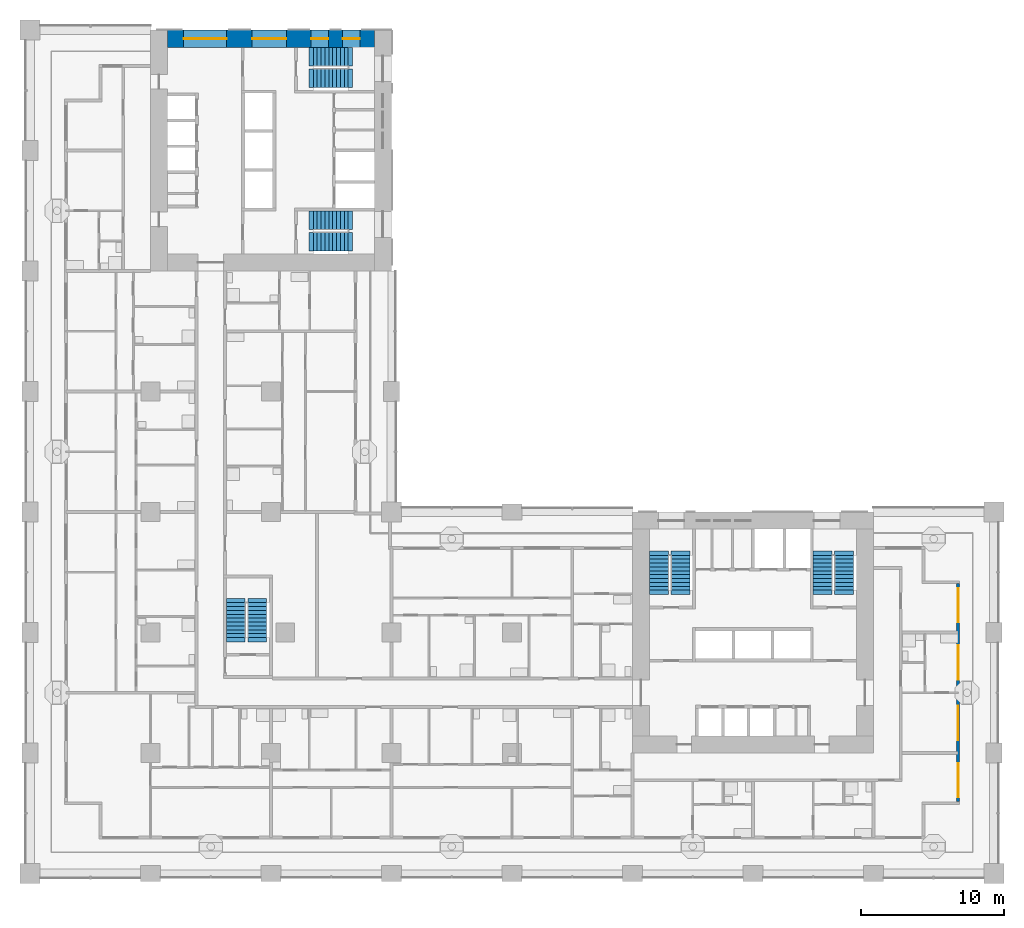
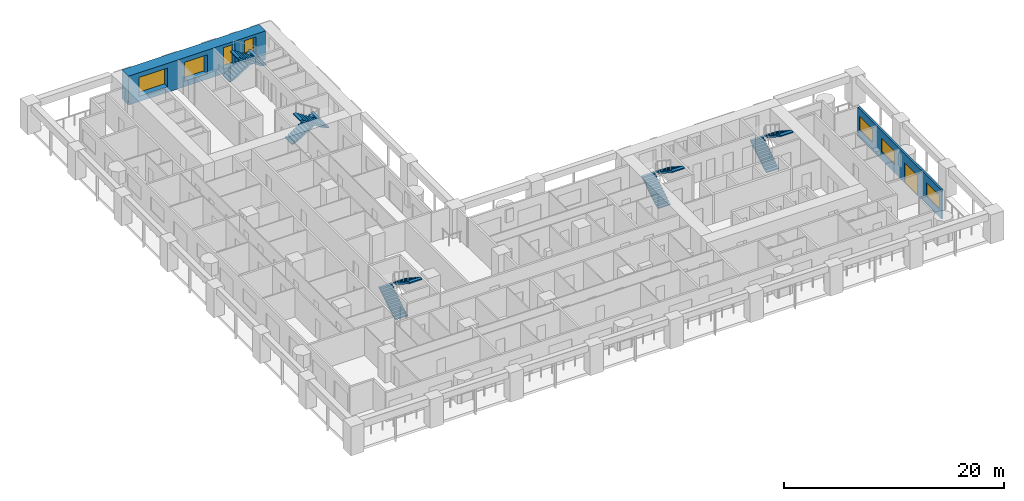
# One storey, part 11 of 22: 10 stair flights, 7 windows, 2 walls, 1 door, 8 openings, 5 elements without a shape of their own.
"""IFC4 building model written with IfcOpenShell, lengths in metres."""

import ifcopenshell
import ifcopenshell.guid

model = None  # the IFC model being written
_history = None  # IfcOwnerHistory: only IFC2X3 demands one
_inside = {}  # id of a spatial element -> (the spatial element, [elements in it])
_under = {}  # id of a project, library or spatial element -> (it, [spatial elements below it])
_declared = {}  # id of a project -> (the project, [libraries it declares])
_typed = {}  # id of a type object -> (the type object, [elements of that type])
_made_of = {}  # id of a material, layer set ... -> (it, [elements and type objects made of it])


def new_model(schema):
    """Start an empty IFC model of exactly this schema.

    Asked for "IFC4X3", IfcOpenShell would pick the latest addendum, in which some entities
    have other attributes; the version numbers below select the first issue.
    IFC2X3 requires an IfcOwnerHistory on every rooted entity: one is made here for all.
    """
    global model, _history
    if schema == "IFC4X3":
        model = ifcopenshell.file(schema_version=(4, 3, 0, 0))
    else:
        model = ifcopenshell.file(schema=schema)
    _inside.clear()
    _under.clear()
    _declared.clear()
    _typed.clear()
    _made_of.clear()
    _history = None
    if model.schema == "IFC2X3":
        org = make("IfcOrganization", Name="unknown")
        user = make(
            "IfcPersonAndOrganization",
            ThePerson=make("IfcPerson", FamilyName="unknown"),
            TheOrganization=org,
        )
        app = make(
            "IfcApplication",
            ApplicationDeveloper=org,
            Version="unknown",
            ApplicationFullName="unknown",
            ApplicationIdentifier="unknown",
        )
        _history = make(
            "IfcOwnerHistory",
            OwningUser=user,
            OwningApplication=app,
            ChangeAction="ADDED",
            CreationDate=0,
        )
    return model


def make(cls, **values):
    """One entity of the class cls with the attributes given. An attribute that is None is left unset."""
    return model.create_entity(
        cls, **{name: value for name, value in values.items() if value is not None}
    )


def rooted(cls, **values):
    """An entity with a GlobalId (a new one), such as an element, a storey or a relation."""
    return make(cls, GlobalId=ifcopenshell.guid.new(), OwnerHistory=_history, **values)


def si_unit(unit_type, name, prefix=None):
    """IfcSIUnit, for example si_unit("LENGTHUNIT", "METRE", prefix="MILLI")."""
    return make("IfcSIUnit", UnitType=unit_type, Prefix=prefix, Name=name)


def assignment(units):
    """IfcUnitAssignment: the units of a project."""
    return None if units is None else make("IfcUnitAssignment", Units=units)


def point(xyz):
    """IfcCartesianPoint."""
    return None if xyz is None else make("IfcCartesianPoint", Coordinates=xyz)


def direction(xyz):
    """IfcDirection."""
    return None if xyz is None else make("IfcDirection", DirectionRatios=xyz)


def frame(location, z_axis=None, x_axis=None):
    """IfcAxis2Placement3D, a coordinate frame: its origin and axes. An axis left out is left unset."""
    return make(
        "IfcAxis2Placement3D",
        Location=point(location),
        Axis=direction(z_axis),
        RefDirection=direction(x_axis),
    )


def frame_2d(location, x_axis=None):
    """IfcAxis2Placement2D, a coordinate frame in the plane: its origin and x axis."""
    return make(
        "IfcAxis2Placement2D", Location=point(location), RefDirection=direction(x_axis)
    )


def origin():
    """The frame at (0, 0, 0) with its axes left unset."""
    return frame((0.0, 0.0, 0.0))


def place(relative_to, where):
    """IfcLocalPlacement: puts the frame where relative to a parent placement (None: the world)."""
    return make(
        "IfcLocalPlacement", PlacementRelTo=relative_to, RelativePlacement=where
    )


def context(
    kind, dimensions, precision=None, world=None, true_north=None, identifier=None
):
    """IfcGeometricRepresentationContext, for example the 3D "Model" context."""
    return make(
        "IfcGeometricRepresentationContext",
        ContextIdentifier=identifier,
        ContextType=kind,
        CoordinateSpaceDimension=dimensions,
        Precision=precision,
        WorldCoordinateSystem=world,
        TrueNorth=true_north,
    )


def subcontext(parent, identifier, kind, view, scale=None):
    """IfcGeometricRepresentationSubContext, for example "Body" below "Model"."""
    return make(
        "IfcGeometricRepresentationSubContext",
        ContextIdentifier=identifier,
        ContextType=kind,
        ParentContext=parent,
        TargetScale=scale,
        TargetView=view,
    )


def project(units=None, contexts=None):
    """IfcProject with its units and contexts."""
    return rooted(
        "IfcProject",
        Name="project",
        RepresentationContexts=contexts,
        UnitsInContext=assignment(units),
    )


def spatial(cls, under=None, at=None, **own):
    """A site, building, storey or space (cls), placed at a placement, below another one or the project."""
    s = rooted(cls, ObjectPlacement=at, **own)
    if under is not None:
        _under.setdefault(under.id(), (under, []))[1].append(s)
    return s


def polyline(points):
    """IfcPolyline through the points."""
    return make("IfcPolyline", Points=[point(p) for p in points])


def profile(cls, at=None, kind="AREA", **sizes):
    """A parametric profile (cls). Its sizes go by their IFC names, for example OverallWidth=200.0."""
    return make(cls, ProfileType=kind, Position=at, **sizes)


def rectangle(**sizes):
    """IfcRectangleProfileDef."""
    return profile("IfcRectangleProfileDef", **sizes)


def outline(outer, holes=None, kind="AREA"):
    """IfcArbitraryClosedProfileDef: a profile drawn as a closed curve; with holes, ...WithVoids."""
    if holes is None:
        return make("IfcArbitraryClosedProfileDef", ProfileType=kind, OuterCurve=outer)
    return make(
        "IfcArbitraryProfileDefWithVoids",
        ProfileType=kind,
        OuterCurve=outer,
        InnerCurves=holes,
    )


def extrude(swept, where, along, depth):
    """IfcExtrudedAreaSolid: the profile swept, set in the frame where, extruded along a direction by depth."""
    return make(
        "IfcExtrudedAreaSolid",
        SweptArea=swept,
        Position=where,
        ExtrudedDirection=direction(along),
        Depth=depth,
    )


def shape(context_of_items, identifier, shape_type, items):
    """IfcShapeRepresentation: the items that make up one representation, for example the "Body"."""
    return make(
        "IfcShapeRepresentation",
        ContextOfItems=context_of_items,
        RepresentationIdentifier=identifier,
        RepresentationType=shape_type,
        Items=items,
    )


def material(Name=None, Category=None):
    """IfcMaterial."""
    return make("IfcMaterial", Name=Name, Category=Category)


def layer(
    of_material, thickness, ventilated=None, Name=None, Category=None, Priority=None
):
    """IfcMaterialLayer: one layer of a wall or slab, of a material (None: an air gap)."""
    return make(
        "IfcMaterialLayer",
        Material=of_material,
        LayerThickness=thickness,
        IsVentilated=ventilated,
        Name=Name,
        Category=Category,
        Priority=Priority,
    )


def layer_set(layers, Name=None):
    """IfcMaterialLayerSet."""
    return make("IfcMaterialLayerSet", MaterialLayers=layers, LayerSetName=Name)


def made_of(thing, what):
    """Note that an element or type object is made of a material, layer set ...; save() writes the relation."""
    if what is not None:
        _made_of.setdefault(what.id(), (what, []))[1].append(thing)
    return thing


def type_object(cls, material=None, **own):
    """A type object (cls), such as IfcWallType, which elements share."""
    return made_of(rooted(cls, **own), material)


def element(
    cls,
    number,
    at=None,
    inside=None,
    cuts=None,
    type_object=None,
    material=None,
    context=None,
    identifier="Body",
    shape_type=None,
    held_by="IfcProductDefinitionShape",
    body=None,
    shapes=None,
    **own,
):
    """One element of the class cls, such as IfcWall. Its Tag is "e" and its number.

    at: its placement. inside: the storey or other place that contains it. cuts: it is an
    opening in that element (IfcRelVoidsElement). A single representation is given by context,
    identifier, shape_type and body (its items); several are given by shapes. held_by: the class
    of the entity that holds the representations. save() writes the other relations.
    """
    e = rooted(cls, Tag="e%d" % number, ObjectPlacement=at, **own)
    if body is not None:
        shapes = [shape(context, identifier, shape_type, body)]
    if shapes is not None:
        e.Representation = make(held_by, Representations=shapes)
    if inside is not None:
        _inside.setdefault(inside.id(), (inside, []))[1].append(e)
    if cuts is not None:
        rooted(
            "IfcRelVoidsElement", RelatingBuildingElement=cuts, RelatedOpeningElement=e
        )
    if type_object is not None:
        _typed.setdefault(type_object.id(), (type_object, []))[1].append(e)
    return made_of(e, material)


def fill(opening, filler):
    """IfcRelFillsElement: the door or window that sits in an opening."""
    return rooted(
        "IfcRelFillsElement",
        RelatingOpeningElement=opening,
        RelatedBuildingElement=filler,
    )


def aggregate(whole, parts):
    """IfcRelAggregates: a whole, such as a stair, and the parts it consists of."""
    return rooted("IfcRelAggregates", RelatingObject=whole, RelatedObjects=parts)


def save(model, path):
    """Write the relations noted so far, then the file.

    IfcRelAggregates (storeys below a building ...), IfcRelContainedInSpatialStructure (elements
    in a storey), IfcRelDefinesByType, IfcRelAssociatesMaterial and IfcRelDeclares: one each for
    every whole, place, type object, material and project.
    """
    for whole, parts in _under.values():
        aggregate(whole, parts)
    for where, things in _inside.values():
        rooted(
            "IfcRelContainedInSpatialStructure",
            RelatedElements=things,
            RelatingStructure=where,
        )
    for kind, things in _typed.values():
        rooted("IfcRelDefinesByType", RelatedObjects=things, RelatingType=kind)
    for what, things in _made_of.values():
        rooted("IfcRelAssociatesMaterial", RelatedObjects=things, RelatingMaterial=what)
    for by, libraries in _declared.values():
        rooted("IfcRelDeclares", RelatingContext=by, RelatedDefinitions=libraries)
    model.write(path)


model = new_model("IFC4")

# Units and contexts
model_context = context("Model", 3, precision=1e-05, world=origin(), true_north=direction((0.0, 1.0)))
body_context = subcontext(model_context, "Body", "Model", "MODEL_VIEW")
ifc_project = project(units=[si_unit("LENGTHUNIT", "METRE"), si_unit("AREAUNIT", "SQUARE_METRE"), si_unit("VOLUMEUNIT", "CUBIC_METRE"), si_unit("PLANEANGLEUNIT", "RADIAN"), si_unit("MASSUNIT", "GRAM", prefix="KILO")], contexts=[model_context])

# Site, building, storey
site_placement = place(None, origin())
site = spatial("IfcSite", under=ifc_project, at=site_placement, CompositionType="ELEMENT")
building_placement = place(site_placement, origin())
building = spatial("IfcBuilding", under=site, at=building_placement, Name="Vermilion Gate Residences", CompositionType="ELEMENT")
storey_placement = place(building_placement, frame((0.0, 0.0, 56.699951171875)))
storey = spatial("IfcBuildingStorey", under=building, at=storey_placement, Name="L13", CompositionType="ELEMENT", Elevation=56.699951171875)

# Wall, openings, door, windows
ifc_material_1 = material(Name="Insulated steel stud wall with terracotta rainscreen", Category="masonry")
ifc_layer_1 = layer(ifc_material_1, 0.199951171875)
ifc_layer_set_1 = layer_set([ifc_layer_1], Name="EXTERNAL WALL 200 TERRACOTTA RAINSCREEN")
wall_type_1 = type_object("IfcWallType", Name="EXTERNAL WALL 200 TERRACOTTA RAINSCREEN", PredefinedType="SOLIDWALL", material=ifc_layer_set_1)
wall_1_placement = place(storey_placement, frame((64.699951171875, 5.0, 0.0), z_axis=(0.0, 0.0, 1.0), x_axis=(0.0, 1.0, 0.0)))
wall_1 = element("IfcWall", 1, at=wall_1_placement, inside=storey, type_object=wall_type_1, Name="External wall", PredefinedType="SOLIDWALL", context=body_context, shape_type="SweptSolid", body=[
    extrude(rectangle(XDim=15.199951171875, YDim=0.199951171875, at=frame_2d((7.60009765625, 0.0))), origin(), (0.0, 0.0, 1.0), 3.219970703125),
])
opening_1_placement = place(wall_1_placement, frame((0.300048828125, 0.0, 0.89990234375)))
opening_1 = element("IfcOpeningElement", 2, at=opening_1_placement, cuts=wall_1, Name="Opening WE13028", PredefinedType="OPENING", context=body_context, shape_type="SweptSolid", body=[
    extrude(rectangle(XDim=2.39990234375, YDim=1.5, at=frame_2d((1.199951171875, 0.75))), frame((0.0, 0.10986328125, 0.0), z_axis=(0.0, -1.0, 0.0), x_axis=(1.0, 0.0, 0.0)), (0.0, 0.0, 1.0), 0.219970703125),
])
opening_2_placement = place(wall_1_placement, frame((4.300048828125, 0.0, 0.0)))
opening_2 = element("IfcOpeningElement", 3, at=opening_2_placement, cuts=wall_1, Name="Opening DE13029", PredefinedType="OPENING", context=body_context, shape_type="SweptSolid", body=[
    extrude(rectangle(XDim=2.39990234375, YDim=2.199951171875, at=frame_2d((1.199951171875, 1.10009765625))), frame((0.0, 0.10986328125, 0.0), z_axis=(0.0, -1.0, 0.0), x_axis=(1.0, 0.0, 0.0)), (0.0, 0.0, 1.0), 0.219970703125),
])
opening_3_placement = place(wall_1_placement, frame((8.5, 0.0, 0.89990234375)))
opening_3 = element("IfcOpeningElement", 4, at=opening_3_placement, cuts=wall_1, Name="Opening WE13030", PredefinedType="OPENING", context=body_context, shape_type="SweptSolid", body=[
    extrude(rectangle(XDim=2.39990234375, YDim=1.5, at=frame_2d((1.199951171875, 0.75))), frame((0.0, 0.10986328125, 0.0), z_axis=(0.0, -1.0, 0.0), x_axis=(1.0, 0.0, 0.0)), (0.0, 0.0, 1.0), 0.219970703125),
])
opening_4_placement = place(wall_1_placement, frame((12.5, 0.0, 0.89990234375)))
opening_4 = element("IfcOpeningElement", 5, at=opening_4_placement, cuts=wall_1, Name="Opening WE13031", PredefinedType="OPENING", context=body_context, shape_type="SweptSolid", body=[
    extrude(rectangle(XDim=2.39990234375, YDim=1.5, at=frame_2d((1.199951171875, 0.75))), frame((0.0, 0.10986328125, 0.0), z_axis=(0.0, -1.0, 0.0), x_axis=(1.0, 0.0, 0.0)), (0.0, 0.0, 1.0), 0.219970703125),
])
ifc_material_2 = material(Name="Aluminium and clear glass", Category="aluminium")
door_type = type_object("IfcDoorType", Name="SLIDING GLAZED DOOR 2400 X 2200", OperationType="DOUBLE_DOOR_SLIDING", PredefinedType="DOOR", material=ifc_material_2)
door_placement = place(opening_2_placement, origin())
door = element("IfcDoor", 6, at=door_placement, inside=storey, type_object=door_type, Name="Loggia sliding door", OperationType="DOUBLE_DOOR_SLIDING", OverallHeight=2.199951171875, OverallWidth=2.39990234375, PredefinedType="DOOR", context=body_context, shape_type="SweptSolid", body=[
    extrude(rectangle(XDim=2.39990234375, YDim=2.199951171875, at=frame_2d((1.199951171875, 1.10009765625))), frame((0.0, 0.02490234375, 0.0), z_axis=(0.0, -1.0, 0.0), x_axis=(1.0, 0.0, 0.0)), (0.0, 0.0, 1.0), 0.050048828125),
])
fill(opening_2, door)
ifc_material_3 = material(Name="Aluminium and clear glass", Category="aluminium")
window_type_1 = type_object("IfcWindowType", Name="WINDOW 2400 X 1500", PartitioningType="SINGLE_PANEL", PredefinedType="WINDOW", material=ifc_material_3)
window_1_placement = place(opening_1_placement, origin())
window_1 = element("IfcWindow", 7, at=window_1_placement, inside=storey, type_object=window_type_1, Name="Window", OverallHeight=1.5, OverallWidth=2.39990234375, PartitioningType="SINGLE_PANEL", PredefinedType="WINDOW", context=body_context, shape_type="SweptSolid", body=[
    extrude(rectangle(XDim=2.39990234375, YDim=1.5, at=frame_2d((1.199951171875, 0.75))), frame((0.0, 0.030029296875, 0.0), z_axis=(0.0, -1.0, 0.0), x_axis=(1.0, 0.0, 0.0)), (0.0, 0.0, 1.0), 0.06005859375),
])
fill(opening_1, window_1)
window_2_placement = place(opening_3_placement, origin())
window_2 = element("IfcWindow", 8, at=window_2_placement, inside=storey, type_object=window_type_1, Name="Window", OverallHeight=1.5, OverallWidth=2.39990234375, PartitioningType="SINGLE_PANEL", PredefinedType="WINDOW", context=body_context, shape_type="SweptSolid", body=[
    extrude(rectangle(XDim=2.39990234375, YDim=1.5, at=frame_2d((1.199951171875, 0.75))), frame((0.0, 0.030029296875, 0.0), z_axis=(0.0, -1.0, 0.0), x_axis=(1.0, 0.0, 0.0)), (0.0, 0.0, 1.0), 0.06005859375),
])
fill(opening_3, window_2)
window_3_placement = place(opening_4_placement, origin())
window_3 = element("IfcWindow", 9, at=window_3_placement, inside=storey, type_object=window_type_1, Name="Window", OverallHeight=1.5, OverallWidth=2.39990234375, PartitioningType="SINGLE_PANEL", PredefinedType="WINDOW", context=body_context, shape_type="SweptSolid", body=[
    extrude(rectangle(XDim=2.39990234375, YDim=1.5, at=frame_2d((1.199951171875, 0.75))), frame((0.0, 0.030029296875, 0.0), z_axis=(0.0, -1.0, 0.0), x_axis=(1.0, 0.0, 0.0)), (0.0, 0.0, 1.0), 0.06005859375),
])
fill(opening_4, window_3)

# Wall, openings, windows
ifc_material_4 = material(Name="Concrete C80 red-oxide pigmented", Category="concrete")
ifc_layer_2 = layer(ifc_material_4, 1.199951171875)
ifc_layer_set_2 = layer_set([ifc_layer_2], Name="RC CORE WALL 1200 C80 RED OXIDE")
wall_type_2 = type_object("IfcWallType", Name="RC CORE WALL 1200 C80 RED OXIDE", PredefinedType="SHEAR", material=ifc_layer_set_2)
wall_2_placement = place(storey_placement, frame((9.60009765625, 58.199951171875, 0.0), z_axis=(0.0, 0.0, 1.0), x_axis=(1.0, 0.0, 0.0)))
wall_2 = element("IfcWall", 10, at=wall_2_placement, inside=storey, type_object=wall_type_2, Name="Core wall B13-OUT-FR", PredefinedType="SHEAR", context=body_context, shape_type="SweptSolid", body=[
    extrude(rectangle(XDim=14.39990234375, YDim=1.199951171875, at=frame_2d((7.199951171875, 0.0))), origin(), (0.0, 0.0, 1.0), 3.219970703125),
])
opening_5_placement = place(wall_2_placement, frame((1.10498046875, 0.0, 0.60009765625)))
opening_5 = element("IfcOpeningElement", 11, at=opening_5_placement, cuts=wall_2, Name="Opening WKB1306", PredefinedType="OPENING", context=body_context, shape_type="SweptSolid", body=[
    extrude(rectangle(XDim=3.0, YDim=2.10009765625, at=frame_2d((1.5, 1.050048828125))), frame((0.0, 0.60986328125, 0.0), z_axis=(0.0, -1.0, 0.0), x_axis=(1.0, 0.0, 0.0)), (0.0, 0.0, 1.0), 1.219970703125),
])
opening_6_placement = place(wall_2_placement, frame((5.875, 0.0, 0.60009765625)))
opening_6 = element("IfcOpeningElement", 12, at=opening_6_placement, cuts=wall_2, Name="Opening WKB1307", PredefinedType="OPENING", context=body_context, shape_type="SweptSolid", body=[
    extrude(rectangle(XDim=2.39990234375, YDim=2.10009765625, at=frame_2d((1.199951171875, 1.050048828125))), frame((0.0, 0.60986328125, 0.0), z_axis=(0.0, -1.0, 0.0), x_axis=(1.0, 0.0, 0.0)), (0.0, 0.0, 1.0), 1.219970703125),
])
opening_7_placement = place(wall_2_placement, frame((9.993408203125, 0.0, 0.5)))
opening_7 = element("IfcOpeningElement", 13, at=opening_7_placement, cuts=wall_2, Name="Opening WKB1308", PredefinedType="OPENING", context=body_context, shape_type="SweptSolid", body=[
    extrude(rectangle(XDim=1.199951171875, YDim=2.39990234375, at=frame_2d((0.60009765625, 1.199951171875))), frame((0.0, 0.60986328125, 0.0), z_axis=(0.0, -1.0, 0.0), x_axis=(1.0, 0.0, 0.0)), (0.0, 0.0, 1.0), 1.219970703125),
])
opening_8_placement = place(wall_2_placement, frame((12.19677734375, 0.0, 0.5)))
opening_8 = element("IfcOpeningElement", 14, at=opening_8_placement, cuts=wall_2, Name="Opening WKB1309", PredefinedType="OPENING", context=body_context, shape_type="SweptSolid", body=[
    extrude(rectangle(XDim=1.199951171875, YDim=2.39990234375, at=frame_2d((0.60009765625, 1.199951171875))), frame((0.0, 0.60986328125, 0.0), z_axis=(0.0, -1.0, 0.0), x_axis=(1.0, 0.0, 0.0)), (0.0, 0.0, 1.0), 1.219970703125),
])
ifc_material_5 = material(Name="Aluminium and clear glass", Category="aluminium")
window_type_2 = type_object("IfcWindowType", Name="CORE LOBBY WINDOW 2400 X 2100", PartitioningType="SINGLE_PANEL", PredefinedType="WINDOW", material=ifc_material_5)
window_4_placement = place(opening_6_placement, origin())
window_4 = element("IfcWindow", 15, at=window_4_placement, inside=storey, type_object=window_type_2, Name="Core lobby window", OverallHeight=2.10009765625, OverallWidth=2.39990234375, PartitioningType="SINGLE_PANEL", PredefinedType="WINDOW", context=body_context, shape_type="SweptSolid", body=[
    extrude(rectangle(XDim=2.39990234375, YDim=2.10009765625, at=frame_2d((1.199951171875, 1.050048828125))), frame((0.0, 0.030029296875, 0.0), z_axis=(0.0, -1.0, 0.0), x_axis=(1.0, 0.0, 0.0)), (0.0, 0.0, 1.0), 0.06005859375),
])
fill(opening_6, window_4)
ifc_material_6 = material(Name="Aluminium and clear glass", Category="aluminium")
window_type_3 = type_object("IfcWindowType", Name="CORE LOBBY WINDOW 3000 X 2100", PartitioningType="SINGLE_PANEL", PredefinedType="WINDOW", material=ifc_material_6)
window_5_placement = place(opening_5_placement, origin())
window_5 = element("IfcWindow", 16, at=window_5_placement, inside=storey, type_object=window_type_3, Name="Core lobby window", OverallHeight=2.10009765625, OverallWidth=3.0, PartitioningType="SINGLE_PANEL", PredefinedType="WINDOW", context=body_context, shape_type="SweptSolid", body=[
    extrude(rectangle(XDim=3.0, YDim=2.10009765625, at=frame_2d((1.5, 1.050048828125))), frame((0.0, 0.030029296875, 0.0), z_axis=(0.0, -1.0, 0.0), x_axis=(1.0, 0.0, 0.0)), (0.0, 0.0, 1.0), 0.06005859375),
])
fill(opening_5, window_5)
ifc_material_7 = material(Name="Aluminium and clear glass", Category="aluminium")
window_type_4 = type_object("IfcWindowType", Name="CORE STAIR WINDOW 1200 X 2400", PartitioningType="SINGLE_PANEL", PredefinedType="WINDOW", material=ifc_material_7)
window_6_placement = place(opening_7_placement, origin())
window_6 = element("IfcWindow", 17, at=window_6_placement, inside=storey, type_object=window_type_4, Name="Core stair window", OverallHeight=2.39990234375, OverallWidth=1.199951171875, PartitioningType="SINGLE_PANEL", PredefinedType="WINDOW", context=body_context, shape_type="SweptSolid", body=[
    extrude(rectangle(XDim=1.199951171875, YDim=2.39990234375, at=frame_2d((0.60009765625, 1.199951171875))), frame((0.0, 0.030029296875, 0.0), z_axis=(0.0, -1.0, 0.0), x_axis=(1.0, 0.0, 0.0)), (0.0, 0.0, 1.0), 0.06005859375),
])
fill(opening_7, window_6)
window_7_placement = place(opening_8_placement, origin())
window_7 = element("IfcWindow", 18, at=window_7_placement, inside=storey, type_object=window_type_4, Name="Core stair window", OverallHeight=2.39990234375, OverallWidth=1.199951171875, PartitioningType="SINGLE_PANEL", PredefinedType="WINDOW", context=body_context, shape_type="SweptSolid", body=[
    extrude(rectangle(XDim=1.199951171875, YDim=2.39990234375, at=frame_2d((0.60009765625, 1.199951171875))), frame((0.0, 0.030029296875, 0.0), z_axis=(0.0, -1.0, 0.0), x_axis=(1.0, 0.0, 0.0)), (0.0, 0.0, 1.0), 0.06005859375),
])
fill(opening_8, window_7)

# Stair, stair flights
ifc_material_8 = material(Name="Concrete C50", Category="concrete")
stair_type = type_object("IfcStairType", Name="SPECIAL ESCAPE STAIR 1300", PredefinedType="HALF_TURN_STAIR", material=ifc_material_8)
stair_1_placement = place(storey_placement, origin())
stair_1 = element("IfcStair", 19, at=stair_1_placement, inside=storey, type_object=stair_type, Name="Special escape stair STA1-13", PredefinedType="HALF_TURN_STAIR")
ifc_material_9 = material(Name="Concrete C50", Category="concrete")
stair_flight_type = type_object("IfcStairFlightType", Name="STAIR FLIGHT 1300 RC C50", PredefinedType="STRAIGHT", material=ifc_material_9)
stair_flight_1_placement = place(storey_placement, frame((43.85009765625, 19.75, 0.0), z_axis=(0.0, 0.0, 1.0), x_axis=(0.0, 1.0, 0.0)))
stair_flight_1 = element("IfcStairFlight", 20, at=stair_flight_1_placement, type_object=stair_flight_type, Name="STA1-13 flight 1", NumberOfRisers=10, NumberOfTreads=9, PredefinedType="STRAIGHT", RiserHeight=0.175, TreadLength=0.27, context=body_context, shape_type="SweptSolid", body=[
    extrude(outline(polyline([(-0.300048828125, -0.14990234375), (-0.300048828125, -0.030029296875), (0.0, 0.0), (0.0, 0.175048828125), (0.27001953125, 0.175048828125), (0.27001953125, 0.35009765625), (0.5400390625, 0.35009765625), (0.5400390625, 0.52490234375), (0.81005859375, 0.52490234375), (0.81005859375, 0.699951171875), (1.080078125, 0.699951171875), (1.080078125, 0.875), (1.35009765625, 0.875), (1.35009765625, 1.050048828125), (1.6201171875, 1.050048828125), (1.6201171875, 1.22509765625), (1.889892578125, 1.22509765625), (1.889892578125, 1.39990234375), (2.159912109375, 1.39990234375), (2.159912109375, 1.574951171875), (2.429931640625, 1.574951171875), (2.429931640625, 1.75), (2.72998046875, 1.719970703125), (2.72998046875, 1.60009765625), (2.429931640625, 1.396484375), (0.275634765625, 0.0), (-0.300048828125, -0.14990234375)])), frame((0.0, 0.64990234375, 0.0), z_axis=(0.0, -1.0, 0.0), x_axis=(1.0, 0.0, 0.0)), (0.0, 0.0, 1.0), 1.300048828125),
])
stair_flight_2_placement = place(storey_placement, frame((45.35009765625, 22.179931640625, 1.75), z_axis=(0.0, 0.0, 1.0), x_axis=(0.0, -1.0, 0.0)))
stair_flight_2 = element("IfcStairFlight", 21, at=stair_flight_2_placement, type_object=stair_flight_type, Name="STA1-13 flight 2", NumberOfRisers=10, NumberOfTreads=9, PredefinedType="STRAIGHT", RiserHeight=0.175, TreadLength=0.27, context=body_context, shape_type="SweptSolid", body=[
    extrude(outline(polyline([(-0.300048828125, -0.14990234375), (-0.300048828125, -0.030029296875), (0.0, 0.0), (0.0, 0.175048828125), (0.27001953125, 0.175048828125), (0.27001953125, 0.35009765625), (0.5400390625, 0.35009765625), (0.5400390625, 0.52490234375), (0.81005859375, 0.52490234375), (0.81005859375, 0.699951171875), (1.080078125, 0.699951171875), (1.080078125, 0.875), (1.35009765625, 0.875), (1.35009765625, 1.050048828125), (1.6201171875, 1.050048828125), (1.6201171875, 1.22509765625), (1.889892578125, 1.22509765625), (1.889892578125, 1.39990234375), (2.159912109375, 1.39990234375), (2.159912109375, 1.574951171875), (2.429931640625, 1.574951171875), (2.429931640625, 1.75), (2.72998046875, 1.719970703125), (2.72998046875, 1.60009765625), (2.429931640625, 1.396484375), (0.275634765625, 0.0), (-0.300048828125, -0.14990234375)])), frame((0.0, 0.64990234375, 0.0), z_axis=(0.0, -1.0, 0.0), x_axis=(1.0, 0.0, 0.0)), (0.0, 0.0, 1.0), 1.300048828125),
])
aggregate(stair_1, [stair_flight_1, stair_flight_2])

stair_2_placement = place(storey_placement, origin())
stair_2 = element("IfcStair", 22, at=stair_2_placement, inside=storey, type_object=stair_type, Name="Special escape stair STA2-13", PredefinedType="HALF_TURN_STAIR")
stair_flight_3_placement = place(storey_placement, frame((55.25, 19.75, 0.0), z_axis=(0.0, 0.0, 1.0), x_axis=(0.0, 1.0, 0.0)))
stair_flight_3 = element("IfcStairFlight", 23, at=stair_flight_3_placement, type_object=stair_flight_type, Name="STA2-13 flight 1", NumberOfRisers=10, NumberOfTreads=9, PredefinedType="STRAIGHT", RiserHeight=0.175, TreadLength=0.27, context=body_context, shape_type="SweptSolid", body=[
    extrude(outline(polyline([(-0.300048828125, -0.14990234375), (-0.300048828125, -0.030029296875), (0.0, 0.0), (0.0, 0.175048828125), (0.27001953125, 0.175048828125), (0.27001953125, 0.35009765625), (0.5400390625, 0.35009765625), (0.5400390625, 0.52490234375), (0.81005859375, 0.52490234375), (0.81005859375, 0.699951171875), (1.080078125, 0.699951171875), (1.080078125, 0.875), (1.35009765625, 0.875), (1.35009765625, 1.050048828125), (1.6201171875, 1.050048828125), (1.6201171875, 1.22509765625), (1.889892578125, 1.22509765625), (1.889892578125, 1.39990234375), (2.159912109375, 1.39990234375), (2.159912109375, 1.574951171875), (2.429931640625, 1.574951171875), (2.429931640625, 1.75), (2.72998046875, 1.719970703125), (2.72998046875, 1.60009765625), (2.429931640625, 1.396484375), (0.275634765625, 0.0), (-0.300048828125, -0.14990234375)])), frame((0.0, 0.64990234375, 0.0), z_axis=(0.0, -1.0, 0.0), x_axis=(1.0, 0.0, 0.0)), (0.0, 0.0, 1.0), 1.300048828125),
])
stair_flight_4_placement = place(storey_placement, frame((56.75, 22.179931640625, 1.75), z_axis=(0.0, 0.0, 1.0), x_axis=(0.0, -1.0, 0.0)))
stair_flight_4 = element("IfcStairFlight", 24, at=stair_flight_4_placement, type_object=stair_flight_type, Name="STA2-13 flight 2", NumberOfRisers=10, NumberOfTreads=9, PredefinedType="STRAIGHT", RiserHeight=0.175, TreadLength=0.27, context=body_context, shape_type="SweptSolid", body=[
    extrude(outline(polyline([(-0.300048828125, -0.14990234375), (-0.300048828125, -0.030029296875), (0.0, 0.0), (0.0, 0.175048828125), (0.27001953125, 0.175048828125), (0.27001953125, 0.35009765625), (0.5400390625, 0.35009765625), (0.5400390625, 0.52490234375), (0.81005859375, 0.52490234375), (0.81005859375, 0.699951171875), (1.080078125, 0.699951171875), (1.080078125, 0.875), (1.35009765625, 0.875), (1.35009765625, 1.050048828125), (1.6201171875, 1.050048828125), (1.6201171875, 1.22509765625), (1.889892578125, 1.22509765625), (1.889892578125, 1.39990234375), (2.159912109375, 1.39990234375), (2.159912109375, 1.574951171875), (2.429931640625, 1.574951171875), (2.429931640625, 1.75), (2.72998046875, 1.719970703125), (2.72998046875, 1.60009765625), (2.429931640625, 1.396484375), (0.275634765625, 0.0), (-0.300048828125, -0.14990234375)])), frame((0.0, 0.64990234375, 0.0), z_axis=(0.0, -1.0, 0.0), x_axis=(1.0, 0.0, 0.0)), (0.0, 0.0, 1.0), 1.300048828125),
])
aggregate(stair_2, [stair_flight_3, stair_flight_4])

stair_3_placement = place(storey_placement, origin())
stair_3 = element("IfcStair", 25, at=stair_3_placement, inside=storey, type_object=stair_type, Name="Special escape stair STB1-13", PredefinedType="HALF_TURN_STAIR")
stair_flight_5_placement = place(storey_placement, frame((19.75, 56.949951171875, 0.0), z_axis=(0.0, 0.0, 1.0), x_axis=(1.0, 0.0, 0.0)))
stair_flight_5 = element("IfcStairFlight", 26, at=stair_flight_5_placement, type_object=stair_flight_type, Name="STB1-13 flight 1", NumberOfRisers=10, NumberOfTreads=9, PredefinedType="STRAIGHT", RiserHeight=0.175, TreadLength=0.27, context=body_context, shape_type="SweptSolid", body=[
    extrude(outline(polyline([(-0.300048828125, -0.14990234375), (-0.300048828125, -0.030029296875), (0.0, 0.0), (0.0, 0.175048828125), (0.27001953125, 0.175048828125), (0.27001953125, 0.35009765625), (0.5400390625, 0.35009765625), (0.5400390625, 0.52490234375), (0.81005859375, 0.52490234375), (0.81005859375, 0.699951171875), (1.080078125, 0.699951171875), (1.080078125, 0.875), (1.35009765625, 0.875), (1.35009765625, 1.050048828125), (1.6201171875, 1.050048828125), (1.6201171875, 1.22509765625), (1.889892578125, 1.22509765625), (1.889892578125, 1.39990234375), (2.159912109375, 1.39990234375), (2.159912109375, 1.574951171875), (2.429931640625, 1.574951171875), (2.429931640625, 1.75), (2.72998046875, 1.719970703125), (2.72998046875, 1.60009765625), (2.429931640625, 1.396484375), (0.275634765625, 0.0), (-0.300048828125, -0.14990234375)])), frame((0.0, 0.64990234375, 0.0), z_axis=(0.0, -1.0, 0.0), x_axis=(1.0, 0.0, 0.0)), (0.0, 0.0, 1.0), 1.300048828125),
])
stair_flight_6_placement = place(storey_placement, frame((22.179931640625, 55.449951171875, 1.75), z_axis=(0.0, 0.0, 1.0), x_axis=(-1.0, 0.0, 0.0)))
stair_flight_6 = element("IfcStairFlight", 27, at=stair_flight_6_placement, type_object=stair_flight_type, Name="STB1-13 flight 2", NumberOfRisers=10, NumberOfTreads=9, PredefinedType="STRAIGHT", RiserHeight=0.175, TreadLength=0.27, context=body_context, shape_type="SweptSolid", body=[
    extrude(outline(polyline([(-0.300048828125, -0.14990234375), (-0.300048828125, -0.030029296875), (0.0, 0.0), (0.0, 0.175048828125), (0.27001953125, 0.175048828125), (0.27001953125, 0.35009765625), (0.5400390625, 0.35009765625), (0.5400390625, 0.52490234375), (0.81005859375, 0.52490234375), (0.81005859375, 0.699951171875), (1.080078125, 0.699951171875), (1.080078125, 0.875), (1.35009765625, 0.875), (1.35009765625, 1.050048828125), (1.6201171875, 1.050048828125), (1.6201171875, 1.22509765625), (1.889892578125, 1.22509765625), (1.889892578125, 1.39990234375), (2.159912109375, 1.39990234375), (2.159912109375, 1.574951171875), (2.429931640625, 1.574951171875), (2.429931640625, 1.75), (2.72998046875, 1.719970703125), (2.72998046875, 1.60009765625), (2.429931640625, 1.396484375), (0.275634765625, 0.0), (-0.300048828125, -0.14990234375)])), frame((0.0, 0.64990234375, 0.0), z_axis=(0.0, -1.0, 0.0), x_axis=(1.0, 0.0, 0.0)), (0.0, 0.0, 1.0), 1.300048828125),
])
aggregate(stair_3, [stair_flight_5, stair_flight_6])

stair_4_placement = place(storey_placement, origin())
stair_4 = element("IfcStair", 28, at=stair_4_placement, inside=storey, type_object=stair_type, Name="Special escape stair STB2-13", PredefinedType="HALF_TURN_STAIR")
stair_flight_7_placement = place(storey_placement, frame((19.75, 45.550048828125, 0.0), z_axis=(0.0, 0.0, 1.0), x_axis=(1.0, 0.0, 0.0)))
stair_flight_7 = element("IfcStairFlight", 29, at=stair_flight_7_placement, type_object=stair_flight_type, Name="STB2-13 flight 1", NumberOfRisers=10, NumberOfTreads=9, PredefinedType="STRAIGHT", RiserHeight=0.175, TreadLength=0.27, context=body_context, shape_type="SweptSolid", body=[
    extrude(outline(polyline([(-0.300048828125, -0.14990234375), (-0.300048828125, -0.030029296875), (0.0, 0.0), (0.0, 0.175048828125), (0.27001953125, 0.175048828125), (0.27001953125, 0.35009765625), (0.5400390625, 0.35009765625), (0.5400390625, 0.52490234375), (0.81005859375, 0.52490234375), (0.81005859375, 0.699951171875), (1.080078125, 0.699951171875), (1.080078125, 0.875), (1.35009765625, 0.875), (1.35009765625, 1.050048828125), (1.6201171875, 1.050048828125), (1.6201171875, 1.22509765625), (1.889892578125, 1.22509765625), (1.889892578125, 1.39990234375), (2.159912109375, 1.39990234375), (2.159912109375, 1.574951171875), (2.429931640625, 1.574951171875), (2.429931640625, 1.75), (2.72998046875, 1.719970703125), (2.72998046875, 1.60009765625), (2.429931640625, 1.396484375), (0.275634765625, 0.0), (-0.300048828125, -0.14990234375)])), frame((0.0, 0.64990234375, 0.0), z_axis=(0.0, -1.0, 0.0), x_axis=(1.0, 0.0, 0.0)), (0.0, 0.0, 1.0), 1.300048828125),
])
stair_flight_8_placement = place(storey_placement, frame((22.179931640625, 44.050048828125, 1.75), z_axis=(0.0, 0.0, 1.0), x_axis=(-1.0, 0.0, 0.0)))
stair_flight_8 = element("IfcStairFlight", 30, at=stair_flight_8_placement, type_object=stair_flight_type, Name="STB2-13 flight 2", NumberOfRisers=10, NumberOfTreads=9, PredefinedType="STRAIGHT", RiserHeight=0.175, TreadLength=0.27, context=body_context, shape_type="SweptSolid", body=[
    extrude(outline(polyline([(-0.300048828125, -0.14990234375), (-0.300048828125, -0.030029296875), (0.0, 0.0), (0.0, 0.175048828125), (0.27001953125, 0.175048828125), (0.27001953125, 0.35009765625), (0.5400390625, 0.35009765625), (0.5400390625, 0.52490234375), (0.81005859375, 0.52490234375), (0.81005859375, 0.699951171875), (1.080078125, 0.699951171875), (1.080078125, 0.875), (1.35009765625, 0.875), (1.35009765625, 1.050048828125), (1.6201171875, 1.050048828125), (1.6201171875, 1.22509765625), (1.889892578125, 1.22509765625), (1.889892578125, 1.39990234375), (2.159912109375, 1.39990234375), (2.159912109375, 1.574951171875), (2.429931640625, 1.574951171875), (2.429931640625, 1.75), (2.72998046875, 1.719970703125), (2.72998046875, 1.60009765625), (2.429931640625, 1.396484375), (0.275634765625, 0.0), (-0.300048828125, -0.14990234375)])), frame((0.0, 0.64990234375, 0.0), z_axis=(0.0, -1.0, 0.0), x_axis=(1.0, 0.0, 0.0)), (0.0, 0.0, 1.0), 1.300048828125),
])
aggregate(stair_4, [stair_flight_7, stair_flight_8])

stair_5_placement = place(storey_placement, origin())
stair_5 = element("IfcStair", 31, at=stair_5_placement, inside=storey, type_object=stair_type, Name="Special escape stair STC1-13", PredefinedType="HALF_TURN_STAIR")
stair_flight_9_placement = place(storey_placement, frame((14.35009765625, 16.449951171875, 0.0), z_axis=(0.0, 0.0, 1.0), x_axis=(0.0, 1.0, 0.0)))
stair_flight_9 = element("IfcStairFlight", 32, at=stair_flight_9_placement, type_object=stair_flight_type, Name="STC1-13 flight 1", NumberOfRisers=10, NumberOfTreads=9, PredefinedType="STRAIGHT", RiserHeight=0.175, TreadLength=0.27, context=body_context, shape_type="SweptSolid", body=[
    extrude(outline(polyline([(-0.300048828125, -0.14990234375), (-0.300048828125, -0.030029296875), (0.0, 0.0), (0.0, 0.175048828125), (0.27001953125, 0.175048828125), (0.27001953125, 0.35009765625), (0.5400390625, 0.35009765625), (0.5400390625, 0.52490234375), (0.81005859375, 0.52490234375), (0.81005859375, 0.699951171875), (1.080078125, 0.699951171875), (1.080078125, 0.875), (1.35009765625, 0.875), (1.35009765625, 1.050048828125), (1.6201171875, 1.050048828125), (1.6201171875, 1.22509765625), (1.889892578125, 1.22509765625), (1.889892578125, 1.39990234375), (2.159912109375, 1.39990234375), (2.159912109375, 1.574951171875), (2.429931640625, 1.574951171875), (2.429931640625, 1.75), (2.72998046875, 1.719970703125), (2.72998046875, 1.60009765625), (2.429931640625, 1.396484375), (0.275634765625, 0.0), (-0.300048828125, -0.14990234375)])), frame((0.0, 0.64990234375, 0.0), z_axis=(0.0, -1.0, 0.0), x_axis=(1.0, 0.0, 0.0)), (0.0, 0.0, 1.0), 1.300048828125),
])
stair_flight_10_placement = place(storey_placement, frame((15.85009765625, 18.8798828125, 1.75), z_axis=(0.0, 0.0, 1.0), x_axis=(0.0, -1.0, 0.0)))
stair_flight_10 = element("IfcStairFlight", 33, at=stair_flight_10_placement, type_object=stair_flight_type, Name="STC1-13 flight 2", NumberOfRisers=10, NumberOfTreads=9, PredefinedType="STRAIGHT", RiserHeight=0.175, TreadLength=0.27, context=body_context, shape_type="SweptSolid", body=[
    extrude(outline(polyline([(-0.300048828125, -0.14990234375), (-0.300048828125, -0.030029296875), (0.0, 0.0), (0.0, 0.175048828125), (0.27001953125, 0.175048828125), (0.27001953125, 0.35009765625), (0.5400390625, 0.35009765625), (0.5400390625, 0.52490234375), (0.81005859375, 0.52490234375), (0.81005859375, 0.699951171875), (1.080078125, 0.699951171875), (1.080078125, 0.875), (1.35009765625, 0.875), (1.35009765625, 1.050048828125), (1.6201171875, 1.050048828125), (1.6201171875, 1.22509765625), (1.889892578125, 1.22509765625), (1.889892578125, 1.39990234375), (2.159912109375, 1.39990234375), (2.159912109375, 1.574951171875), (2.429931640625, 1.574951171875), (2.429931640625, 1.75), (2.72998046875, 1.719970703125), (2.72998046875, 1.60009765625), (2.429931640625, 1.396484375), (0.275634765625, 0.0), (-0.300048828125, -0.14990234375)])), frame((0.0, 0.64990234375, 0.0), z_axis=(0.0, -1.0, 0.0), x_axis=(1.0, 0.0, 0.0)), (0.0, 0.0, 1.0), 1.300048828125),
])
aggregate(stair_5, [stair_flight_9, stair_flight_10])

save(model, "model.ifc")
